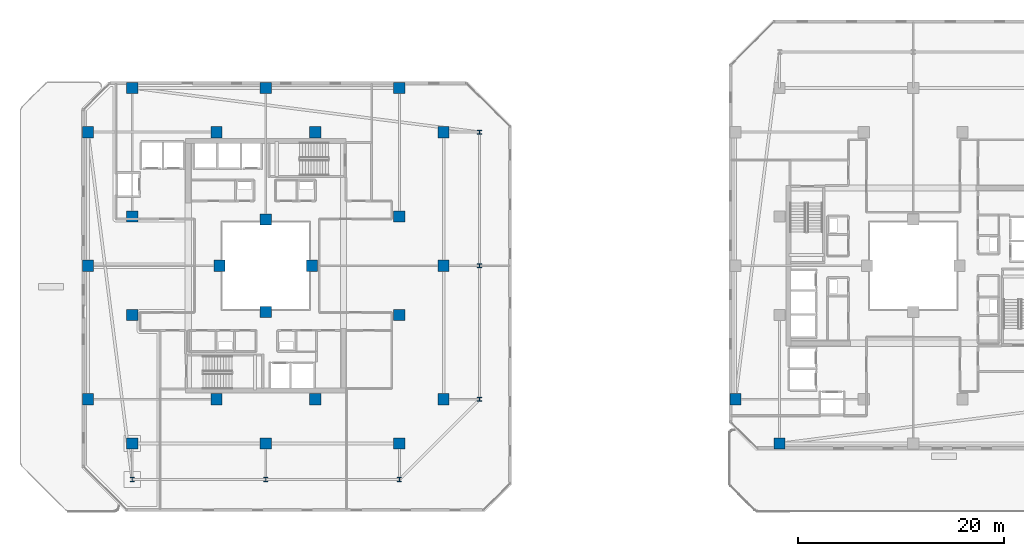
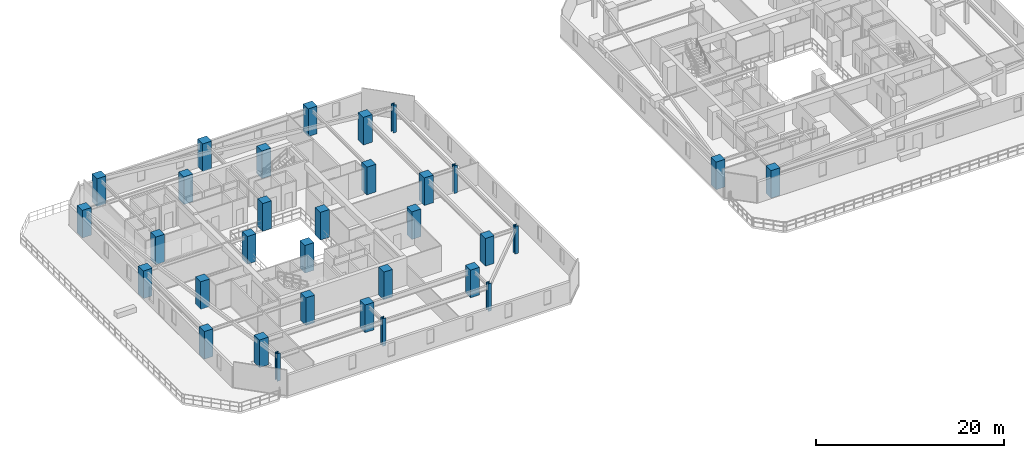
# One storey, part 1 of 30: 32 columns.
"""IFC4 building model written with IfcOpenShell, lengths in metres."""

from ifc_helpers import new_model, si_unit, direction, frame, origin, origin_2d, place, context, subcontext, project, spatial, rectangle, i_section, extrude, material, material_profile, profile_set, type_object, element, save


model = new_model("IFC4")

# Units and contexts
model_context = context("Model", 3, precision=1e-05, world=origin(), true_north=direction((0.0, 1.0)))
body_context = subcontext(model_context, "Body", "Model", "MODEL_VIEW")
ifc_project = project(units=[si_unit("LENGTHUNIT", "METRE"), si_unit("AREAUNIT", "SQUARE_METRE"), si_unit("VOLUMEUNIT", "CUBIC_METRE"), si_unit("PLANEANGLEUNIT", "RADIAN"), si_unit("MASSUNIT", "GRAM", prefix="KILO")], contexts=[model_context])

# Site, building, storey
site_placement = place(None, origin())
site = spatial("IfcSite", under=ifc_project, at=site_placement, CompositionType="ELEMENT")
building_placement = place(site_placement, origin())
building = spatial("IfcBuilding", under=site, at=building_placement, Name="Thornwick Lancets Civic Towers", CompositionType="ELEMENT")
storey_placement = place(building_placement, frame((0.0, 0.0, 149.10009765625)))
storey = spatial("IfcBuildingStorey", under=building, at=storey_placement, Name="L39", CompositionType="ELEMENT", Elevation=149.10009765625)

# Columns
ifc_material_1 = material(Name="Concrete C50/60", Category="concrete")
ifc_material_profile_1 = material_profile(ifc_material_1, rectangle(XDim=1.10009765625, YDim=1.10009765625, at=origin_2d()), Name="RC 1100x1100")
ifc_profile_set_1 = profile_set([ifc_material_profile_1], Name="Concrete C50/60")
column_type_1 = type_object("IfcColumnType", Name="COL_RC_1100", PredefinedType="COLUMN", material=ifc_profile_set_1)
for number, where, z_axis, x_axis, name in (
    (1, (12.5, 9.699951171875, 0.0), (0.0, 0.0, 1.0), (1.0, 0.0, 0.0), "L39 Spine Mega-Column A01"),
    (2, (25.5, 9.699951171875, 0.0), (0.0, 0.0, 1.0), (1.0, 0.0, 0.0), "L39 Spine Mega-Column A02"),
    (3, (38.5, 9.699951171875, 0.0), (0.0, 0.0, 1.0), (1.0, 0.0, 0.0), "L39 Spine Mega-Column A03"),
    (4, (42.800048828125, 14.0, 0.0), (0.0, 0.0, 1.0), (1.0, 0.0, 0.0), "L39 Spine Mega-Column A04"),
    (5, (42.800048828125, 27.0, 0.0), (0.0, 0.0, 1.0), (1.0, 0.0, 0.0), "L39 Spine Mega-Column A05"),
    (6, (42.800048828125, 40.0, 0.0), (0.0, 0.0, 1.0), (1.0, 0.0, 0.0), "L39 Spine Mega-Column A06"),
    (7, (12.5, 44.300048828125, 0.0), (0.0, 0.0, 1.0), (1.0, 0.0, 0.0), "L39 Spine Mega-Column A07"),
    (8, (25.5, 44.300048828125, 0.0), (0.0, 0.0, 1.0), (1.0, 0.0, 0.0), "L39 Spine Mega-Column A08"),
    (9, (38.5, 44.300048828125, 0.0), (0.0, 0.0, 1.0), (1.0, 0.0, 0.0), "L39 Spine Mega-Column A09"),
    (10, (8.199951171875, 14.0, 0.0), (0.0, 0.0, 1.0), (1.0, 0.0, 0.0), "L39 Spine Mega-Column A10"),
    (11, (8.199951171875, 27.0, 0.0), (0.0, 0.0, 1.0), (1.0, 0.0, 0.0), "L39 Spine Mega-Column A11"),
    (12, (8.199951171875, 40.0, 0.0), (0.0, 0.0, 1.0), (1.0, 0.0, 0.0), "L39 Spine Mega-Column A12"),
    (13, (12.5, 22.199951171875, 0.0), (0.0, 0.0, 1.0), (1.0, 0.0, 0.0), "L39 Spine Mega-Column A13"),
    (14, (38.5, 22.199951171875, 0.0), (0.0, 0.0, 1.0), (1.0, 0.0, 0.0), "L39 Spine Mega-Column A14"),
    (15, (12.5, 31.800048828125, 0.0), (0.0, 0.0, 1.0), (1.0, 0.0, 0.0), "L39 Spine Mega-Column A15"),
    (16, (38.5, 31.800048828125, 0.0), (0.0, 0.0, 1.0), (1.0, 0.0, 0.0), "L39 Spine Mega-Column A16"),
    (17, (20.699951171875, 14.0, 0.0), (0.0, 0.0, 1.0), (1.0, 0.0, 0.0), "L39 Spine Mega-Column A17"),
    (18, (30.300048828125, 14.0, 0.0), (0.0, 0.0, 1.0), (1.0, 0.0, 0.0), "L39 Spine Mega-Column A18"),
    (19, (20.699951171875, 40.0, 0.0), (0.0, 0.0, 1.0), (1.0, 0.0, 0.0), "L39 Spine Mega-Column A19"),
    (20, (30.300048828125, 40.0, 0.0), (0.0, 0.0, 1.0), (1.0, 0.0, 0.0), "L39 Spine Mega-Column A20"),
    (21, (25.5, 22.5, 0.0), (0.0, 0.0, 1.0), (1.0, 0.0, 0.0), "L39 Spine Mega-Column A21"),
    (22, (25.5, 31.5, 0.0), (0.0, 0.0, 1.0), (1.0, 0.0, 0.0), "L39 Spine Mega-Column A22"),
    (23, (21.0, 27.0, 0.0), (0.0, 0.0, 1.0), (1.0, 0.0, 0.0), "L39 Spine Mega-Column A23"),
    (24, (30.0, 27.0, 0.0), (0.0, 0.0, 1.0), (1.0, 0.0, 0.0), "L39 Spine Mega-Column A24"),
    (25, (71.199951171875, 14.0, 0.0), (0.0, 0.0, 1.0), (1.0, 0.0, 0.0), "L39 Spine Mega-Column B07"),
    (26, (75.5, 9.699951171875, 0.0), (0.0, 0.0, 1.0), (1.0, 0.0, 0.0), "L39 Spine Mega-Column B12"),
):
    element("IfcColumn", number, at=place(storey_placement, frame(where, z_axis=z_axis, x_axis=x_axis)), inside=storey, type_object=column_type_1, Name=name, PredefinedType="COLUMN", context=body_context, shape_type="SweptSolid", body=[
        extrude(rectangle(XDim=1.10009765625, YDim=1.10009765625, at=origin_2d()), origin(), (0.0, 0.0, 1.0), 3.599853515625),
    ])
ifc_material_2 = material(Name="Steel S460M", Category="steel")
ifc_material_profile_2 = material_profile(ifc_material_2, i_section(OverallWidth=0.406982421875, OverallDepth=0.4189453125, WebThickness=0.030517578125, FlangeThickness=0.04931640625, FilletRadius=0.01513671875, at=origin_2d()), Name="UKC 356x406x393")
ifc_profile_set_2 = profile_set([ifc_material_profile_2], Name="Steel S460M")
column_type_2 = type_object("IfcColumnType", Name="COL_UKC_393", PredefinedType="COLUMN", material=ifc_profile_set_2)
for number, where, z_axis, x_axis, name in (
    (27, (12.5, 6.199951171875, 0.0), (0.0, 0.0, 1.0), (1.0, 0.0, 0.0), "L39 Block Perimeter Column A01"),
    (28, (25.5, 6.199951171875, 0.0), (0.0, 0.0, 1.0), (1.0, 0.0, 0.0), "L39 Block Perimeter Column A02"),
    (29, (38.5, 6.199951171875, 0.0), (0.0, 0.0, 1.0), (1.0, 0.0, 0.0), "L39 Block Perimeter Column A03"),
    (30, (46.300048828125, 14.0, 0.0), (0.0, 0.0, 1.0), (1.0, 0.0, 0.0), "L39 Block Perimeter Column A04"),
    (31, (46.300048828125, 27.0, 0.0), (0.0, 0.0, 1.0), (1.0, 0.0, 0.0), "L39 Block Perimeter Column A05"),
    (32, (46.300048828125, 40.0, 0.0), (0.0, 0.0, 1.0), (1.0, 0.0, 0.0), "L39 Block Perimeter Column A06"),
):
    element("IfcColumn", number, at=place(storey_placement, frame(where, z_axis=z_axis, x_axis=x_axis)), inside=storey, type_object=column_type_2, Name=name, PredefinedType="COLUMN", context=body_context, shape_type="SweptSolid", body=[
        extrude(i_section(OverallWidth=0.406982421875, OverallDepth=0.4189453125, WebThickness=0.030517578125, FlangeThickness=0.04931640625, FilletRadius=0.01513671875, at=origin_2d()), origin(), (0.0, 0.0, 1.0), 3.599853515625),
    ])

save(model, "model.ifc")
